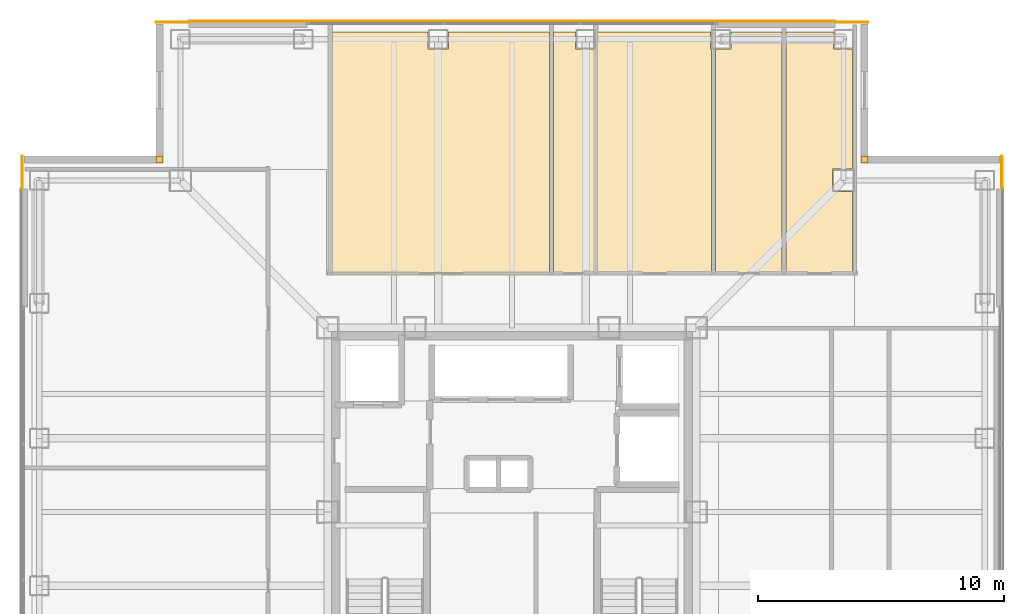
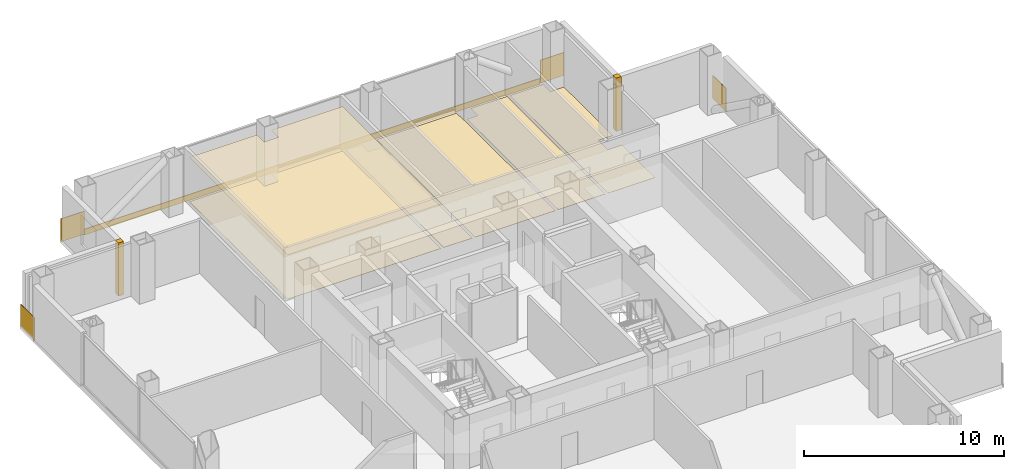
# One storey, part 16 of 16: 13 coverings.
"""IFC4 building model written with IfcOpenShell, lengths in metres."""

from ifc_helpers import new_model, si_unit, direction, frame, frame_2d, origin, place, context, subcontext, project, spatial, polyline, rectangle, outline, extrude, material, layer, layer_set, type_object, element, save


model = new_model("IFC4")

# Units and contexts
model_context = context("Model", 3, precision=1e-05, world=origin(), true_north=direction((0.0, 1.0)))
body_context = subcontext(model_context, "Body", "Model", "MODEL_VIEW")
ifc_project = project(units=[si_unit("LENGTHUNIT", "METRE"), si_unit("AREAUNIT", "SQUARE_METRE"), si_unit("VOLUMEUNIT", "CUBIC_METRE"), si_unit("PLANEANGLEUNIT", "RADIAN"), si_unit("MASSUNIT", "GRAM", prefix="KILO")], contexts=[model_context])

# Site, building, storey
site_placement = place(None, origin())
site = spatial("IfcSite", under=ifc_project, at=site_placement, CompositionType="ELEMENT")
building_placement = place(site_placement, origin())
building = spatial("IfcBuilding", under=site, at=building_placement, Name="Trevonay Congress Spire", CompositionType="ELEMENT")
storey_placement = place(building_placement, frame((0.0, 0.0, 223.800048828125)))
storey = spatial("IfcBuildingStorey", under=building, at=storey_placement, Name="L58", CompositionType="ELEMENT", Elevation=223.800048828125)

# Coverings
ifc_material_1 = material(Name="Acoustic Mineral Fibre Board", Category="gypsum")
ifc_layer_1 = layer(ifc_material_1, 0.02490234375, Name="Acoustic Mineral Fibre Board")
ifc_layer_set_1 = layer_set([ifc_layer_1], Name="Acoustic Mineral Fibre Board")
covering_type_1 = type_object("IfcCoveringType", Name="COV-CEIL-ACOUSTIC", PredefinedType="CEILING", material=ifc_layer_set_1)
covering_1_placement = place(storey_placement, frame((0.0, 0.0, 2.699951171875)))
element("IfcCovering", 1, at=covering_1_placement, inside=storey, type_object=covering_type_1, Name="L58 Showroom Cafe Restaurant acoustic suspended ceiling", PredefinedType="CEILING", context=body_context, shape_type="SweptSolid", body=[
    extrude(outline(polyline([(1.52001953125, 19.550048828125), (1.52001953125, 9.72998046875), (-7.320068359375, 9.72998046875), (-7.320068359375, 19.550048828125), (-3.409912109375, 19.550048828125), (-3.409912109375, 18.840087890625), (-2.590087890625, 18.840087890625), (-2.590087890625, 19.550048828125), (1.52001953125, 19.550048828125)])), origin(), (0.0, 0.0, 1.0), 0.02490234375),
])
ifc_material_2 = material(Name="Polished Granite Floor Tile", Category="masonry")
ifc_layer_2 = layer(ifc_material_2, 0.02001953125, Name="Polished Granite Floor Tile")
ifc_layer_set_2 = layer_set([ifc_layer_2], Name="Polished Granite Floor Tile")
covering_type_2 = type_object("IfcCoveringType", Name="COV-FLOOR-STONE", PredefinedType="FLOORING", material=ifc_layer_set_2)
covering_2_placement = place(storey_placement, origin())
element("IfcCovering", 2, at=covering_2_placement, inside=storey, type_object=covering_type_2, Name="L58 Showroom Cafe Restaurant floor finish", PredefinedType="FLOORING", context=body_context, shape_type="SweptSolid", body=[
    extrude(outline(polyline([(1.52001953125, 19.550048828125), (1.52001953125, 9.72998046875), (-7.320068359375, 9.72998046875), (-7.320068359375, 19.550048828125), (-3.409912109375, 19.550048828125), (-3.409912109375, 18.840087890625), (-2.590087890625, 18.840087890625), (-2.590087890625, 19.550048828125), (1.52001953125, 19.550048828125)])), origin(), (0.0, 0.0, 1.0), 0.02001953125),
])
covering_3_placement = place(storey_placement, origin())
element("IfcCovering", 3, at=covering_3_placement, inside=storey, type_object=covering_type_2, Name="L58 Accessible WC floor finish", PredefinedType="FLOORING", context=body_context, shape_type="SweptSolid", body=[
    extrude(outline(polyline([(3.330078125, 9.72998046875), (1.679931640625, 9.72998046875), (1.679931640625, 19.550048828125), (2.590087890625, 19.550048828125), (2.590087890625, 18.840087890625), (3.330078125, 18.840087890625), (3.330078125, 9.72998046875)])), origin(), (0.0, 0.0, 1.0), 0.02001953125),
])
covering_4_placement = place(storey_placement, origin())
element("IfcCovering", 4, at=covering_4_placement, inside=storey, type_object=covering_type_2, Name="L58 Floor Supplies and Copy Room floor finish", PredefinedType="FLOORING", context=body_context, shape_type="SweptSolid", body=[
    extrude(outline(polyline([(8.1201171875, 9.72998046875), (3.489990234375, 9.72998046875), (3.489990234375, 19.550048828125), (8.090087890625, 19.550048828125), (8.090087890625, 18.840087890625), (8.1201171875, 18.840087890625), (8.1201171875, 9.72998046875)])), origin(), (0.0, 0.0, 1.0), 0.02001953125),
])
covering_5_placement = place(storey_placement, origin())
element("IfcCovering", 5, at=covering_5_placement, inside=storey, type_object=covering_type_2, Name="L58 Female Restroom WC floor finish", PredefinedType="FLOORING", context=body_context, shape_type="SweptSolid", body=[
    extrude(outline(polyline([(11.0, 19.550048828125), (11.0, 9.72998046875), (8.280029296875, 9.72998046875), (8.280029296875, 18.840087890625), (8.909912109375, 18.840087890625), (8.909912109375, 19.550048828125), (11.0, 19.550048828125)])), origin(), (0.0, 0.0, 1.0), 0.02001953125),
])
covering_6_placement = place(storey_placement, origin())
element("IfcCovering", 6, at=covering_6_placement, inside=storey, type_object=covering_type_2, Name="L58 Floor Supplies and Copy Room floor finish", PredefinedType="FLOORING", context=body_context, shape_type="SweptSolid", body=[
    extrude(outline(polyline([(13.8701171875, 9.72998046875), (11.159912109375, 9.72998046875), (11.159912109375, 19.550048828125), (13.090087890625, 19.550048828125), (13.090087890625, 18.840087890625), (13.8701171875, 18.840087890625), (13.8701171875, 13.9599609375), (13.0400390625, 13.9599609375), (13.0400390625, 13.0400390625), (13.8701171875, 13.0400390625), (13.8701171875, 9.72998046875)])), origin(), (0.0, 0.0, 1.0), 0.02001953125),
])
ifc_material_3 = material(Name="Pale Anodised Aluminium EN AW-6063-T6", Category="aluminium")
ifc_layer_3 = layer(ifc_material_3, 0.0400390625, Name="Pale Anodised Aluminium EN AW-6063-T6")
ifc_layer_set_3 = layer_set([ifc_layer_3], Name="Pale Anodised Aluminium EN AW-6063-T6")
covering_type_3 = type_object("IfcCoveringType", Name="COV-SPANDREL-PALE-METAL", PredefinedType="CLADDING", material=ifc_layer_set_3)
covering_7_placement = place(storey_placement, frame((-13.14990234375, 19.97998046875, -0.239990234375), z_axis=(0.0, 0.0, 1.0), x_axis=(1.0, 0.0, 0.0)))
element("IfcCovering", 7, at=covering_7_placement, inside=storey, type_object=covering_type_3, Name="L58 N pale-metal slab-edge spandrel cladding", PredefinedType="CLADDING", context=body_context, shape_type="SweptSolid", body=[
    extrude(rectangle(XDim=26.2998046875, YDim=0.0400390625, at=frame_2d((13.14990234375, 0.0))), origin(), (0.0, 0.0, 1.0), 0.35986328125),
])
covering_8_placement = place(storey_placement, origin())
element("IfcCovering", 8, at=covering_8_placement, inside=storey, type_object=covering_type_3, Name="L58 NE re-entrant notch corner closure trim", PredefinedType="CLADDING", context=body_context, shape_type="SweptSolid", body=[
    extrude(outline(polyline([(14.199951171875, 14.199951171875), (14.5, 14.199951171875), (14.5, 14.5), (14.199951171875, 14.5), (14.199951171875, 14.199951171875)])), origin(), (0.0, 0.0, 1.0), 3.25),
])
for number, where, z_axis, x_axis, name in (
    (9, (19.93994140625, 13.14990234375, -0.150146484375), (0.0, 0.0, 1.0), (0.0, 1.0, 0.0), "L58 NE corner pier spandrel cladding 1"),
    (10, (13.14990234375, 19.93994140625, -0.150146484375), (0.0, 0.0, 1.0), (1.0, 0.0, 0.0), "L58 NE corner pier spandrel cladding 2"),
):
    element("IfcCovering", number, at=place(storey_placement, frame(where, z_axis=z_axis, x_axis=x_axis)), inside=storey, type_object=covering_type_3, Name=name, PredefinedType="CLADDING", context=body_context, shape_type="SweptSolid", body=[
        extrude(rectangle(XDim=1.35009765625, YDim=0.0400390625, at=frame_2d((0.675048828125, 0.0))), origin(), (0.0, 0.0, 1.0), 1.400146484375),
    ])
covering_9_placement = place(storey_placement, origin())
element("IfcCovering", 11, at=covering_9_placement, inside=storey, type_object=covering_type_3, Name="L58 NW re-entrant notch corner closure trim", PredefinedType="CLADDING", context=body_context, shape_type="SweptSolid", body=[
    extrude(outline(polyline([(-14.5, 14.199951171875), (-14.199951171875, 14.199951171875), (-14.199951171875, 14.5), (-14.5, 14.5), (-14.5, 14.199951171875)])), origin(), (0.0, 0.0, 1.0), 3.25),
])
for number, where, z_axis, x_axis, name in (
    (12, (-19.93994140625, 13.14990234375, -0.150146484375), (0.0, 0.0, 1.0), (0.0, 1.0, 0.0), "L58 NW corner pier spandrel cladding 1"),
    (13, (-13.14990234375, 19.93994140625, -0.150146484375), (0.0, 0.0, 1.0), (-1.0, 0.0, 0.0), "L58 NW corner pier spandrel cladding 2"),
):
    element("IfcCovering", number, at=place(storey_placement, frame(where, z_axis=z_axis, x_axis=x_axis)), inside=storey, type_object=covering_type_3, Name=name, PredefinedType="CLADDING", context=body_context, shape_type="SweptSolid", body=[
        extrude(rectangle(XDim=1.35009765625, YDim=0.0400390625, at=frame_2d((0.675048828125, 0.0))), origin(), (0.0, 0.0, 1.0), 1.400146484375),
    ])

save(model, "model.ifc")
